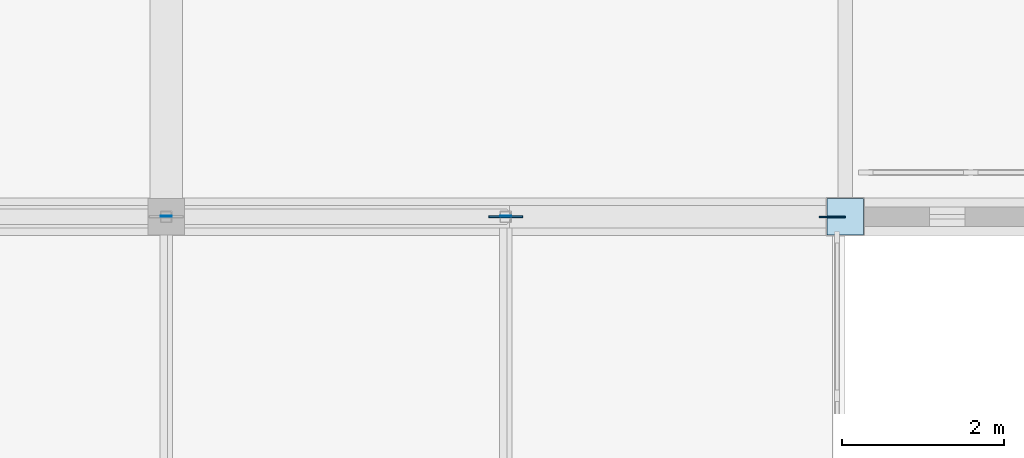
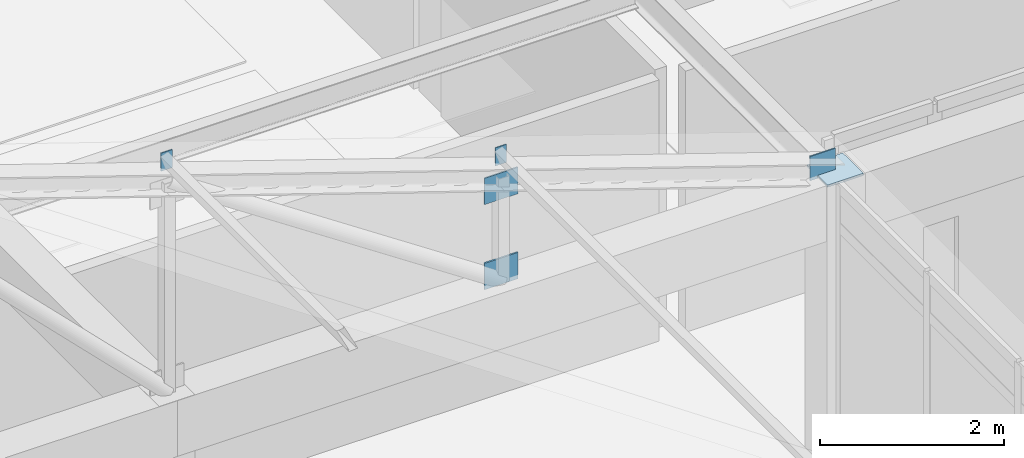
# One storey, part 155 of 192: 6 plates.
"""IFC4 building model written with IfcOpenShell, lengths in metres."""

from ifc_helpers import new_model, si_unit, direction, frame, origin, origin_2d, place, context, subcontext, project, spatial, rectangle, extrude, material, layer, layer_set, type_object, element, save


model = new_model("IFC4")

# Units and contexts
model_context = context("Model", 3, precision=1e-05, world=origin(), true_north=direction((0.0, 1.0)))
body_context = subcontext(model_context, "Body", "Model", "MODEL_VIEW")
ifc_project = project(units=[si_unit("LENGTHUNIT", "METRE"), si_unit("AREAUNIT", "SQUARE_METRE"), si_unit("VOLUMEUNIT", "CUBIC_METRE"), si_unit("PLANEANGLEUNIT", "RADIAN"), si_unit("MASSUNIT", "GRAM", prefix="KILO")], contexts=[model_context])

# Site, building, storey
site_placement = place(None, origin())
site = spatial("IfcSite", under=ifc_project, at=site_placement, CompositionType="ELEMENT")
building_placement = place(site_placement, origin())
building = spatial("IfcBuilding", under=site, at=building_placement, Name="Kveldsbrygga Polytechnic", CompositionType="ELEMENT")
storey_placement = place(building_placement, frame((0.0, 0.0, 5.43994140625)))
storey = spatial("IfcBuildingStorey", under=building, at=storey_placement, Name="L01", CompositionType="ELEMENT", Elevation=5.43994140625)

# Plates
ifc_material = material(Name="Steel S355", Category="steel")
ifc_layer_1 = layer(ifc_material, 0.030029296875)
ifc_layer_set_1 = layer_set([ifc_layer_1], Name="Steel S355")
plate_type_1 = type_object("IfcPlateType", Name="CAP-BEAR-450", PredefinedType="SHEET", material=ifc_layer_set_1)
plate_1_placement = place(storey_placement, frame((75.60009765625, 84.0, 4.08984375), z_axis=(0.0, 0.0, 1.0), x_axis=(1.0, 0.0, 0.0)))
element("IfcPlate", 1, at=plate_1_placement, inside=storey, type_object=plate_type_1, Name="Truss Bearing Plate V5C-T10-B", PredefinedType="SHEET", context=body_context, shape_type="SweptSolid", body=[
    extrude(rectangle(XDim=0.449951171875, YDim=0.449951171875, at=origin_2d()), origin(), (0.0, 0.0, 1.0), 0.030029296875),
])
ifc_layer_2 = layer(ifc_material, 0.011962890625)
ifc_layer_set_2 = layer_set([ifc_layer_2], Name="Steel S355")
plate_type_2 = type_object("IfcPlateType", Name="CAP-PRL-200", PredefinedType="SHEET", material=ifc_layer_set_2)
for number, where, z_axis, x_axis, name in (
    (2, (67.199951171875, 84.006103515625, 7.05322265625), (0.0, 0.0, 1.0), (1.0, 0.0, 0.0), "Purlin End Cap Plate V5C-EP-B-4"),
    (3, (71.39990234375, 84.006103515625, 5.65283203125), (0.0, 0.0, 1.0), (1.0, 0.0, 0.0), "Purlin End Cap Plate V5C-EP-B-5"),
):
    element("IfcPlate", number, at=place(storey_placement, frame(where, z_axis=z_axis, x_axis=x_axis)), inside=storey, type_object=plate_type_2, Name=name, PredefinedType="SHEET", context=body_context, shape_type="SweptSolid", body=[
        extrude(rectangle(XDim=0.139892578125, YDim=0.011962890625, at=origin_2d()), origin(), (0.0, 0.0, 1.0), 0.239990234375),
    ])
ifc_layer_3 = layer(ifc_material, 0.01806640625)
ifc_layer_set_3 = layer_set([ifc_layer_3], Name="Steel S355")
plate_type_3 = type_object("IfcPlateType", Name="GUS-BRACE-320", PredefinedType="SHEET", material=ifc_layer_set_3)
plate_2_placement = place(storey_placement, frame((75.43994140625, 84.0, 4.080078125), z_axis=(0.0, 0.0, 1.0), x_axis=(1.0, 0.0, 0.0)))
element("IfcPlate", 4, at=plate_2_placement, inside=storey, type_object=plate_type_3, Name="Truss Eaves Node Gusset V5C-T10-EGP-B", PredefinedType="SHEET", context=body_context, shape_type="SweptSolid", body=[
    extrude(rectangle(XDim=0.320068359375, YDim=0.01806640625, at=origin_2d()), origin(), (0.0, 0.0, 1.0), 0.320068359375),
])
ifc_layer_4 = layer(ifc_material, 0.02001953125)
ifc_layer_set_4 = layer_set([ifc_layer_4], Name="Steel S355")
plate_type_4 = type_object("IfcPlateType", Name="GUS-LECT-420", PredefinedType="SHEET", material=ifc_layer_set_4)
for number, where, z_axis, x_axis, name in (
    (5, (71.39990234375, 84.0, 5.195068359375), (0.0, 0.0, 1.0), (1.0, 0.0, 0.0), "Truss Gusset Plate V5C-T10-GP-5"),
    (6, (71.39990234375, 84.0, 4.06494140625), (0.0, 0.0, 1.0), (1.0, 0.0, 0.0), "Truss Bottom-Chord Node Gusset V5C-T10-BGP-5"),
):
    element("IfcPlate", number, at=place(storey_placement, frame(where, z_axis=z_axis, x_axis=x_axis)), inside=storey, type_object=plate_type_4, Name=name, PredefinedType="SHEET", context=body_context, shape_type="SweptSolid", body=[
        extrude(rectangle(XDim=0.419921875, YDim=0.02001953125, at=origin_2d()), origin(), (0.0, 0.0, 1.0), 0.35009765625),
    ])

save(model, "model.ifc")
